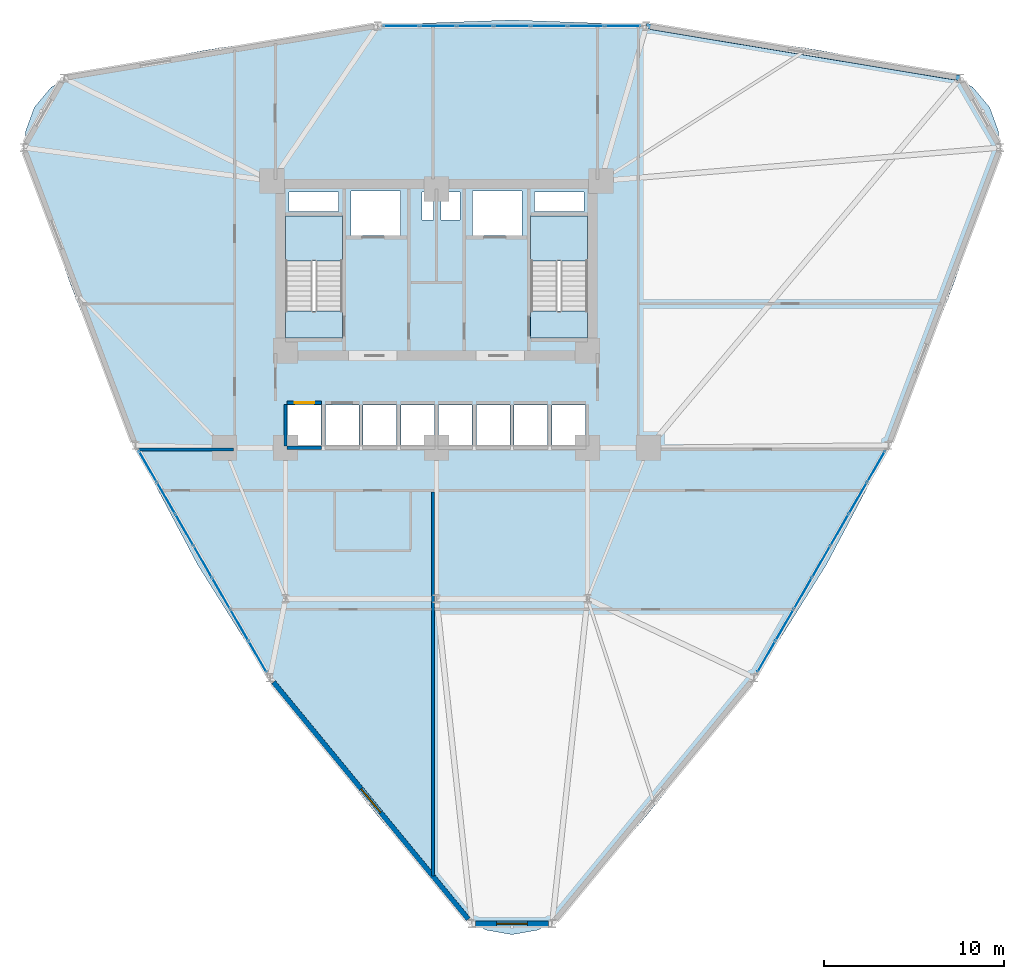
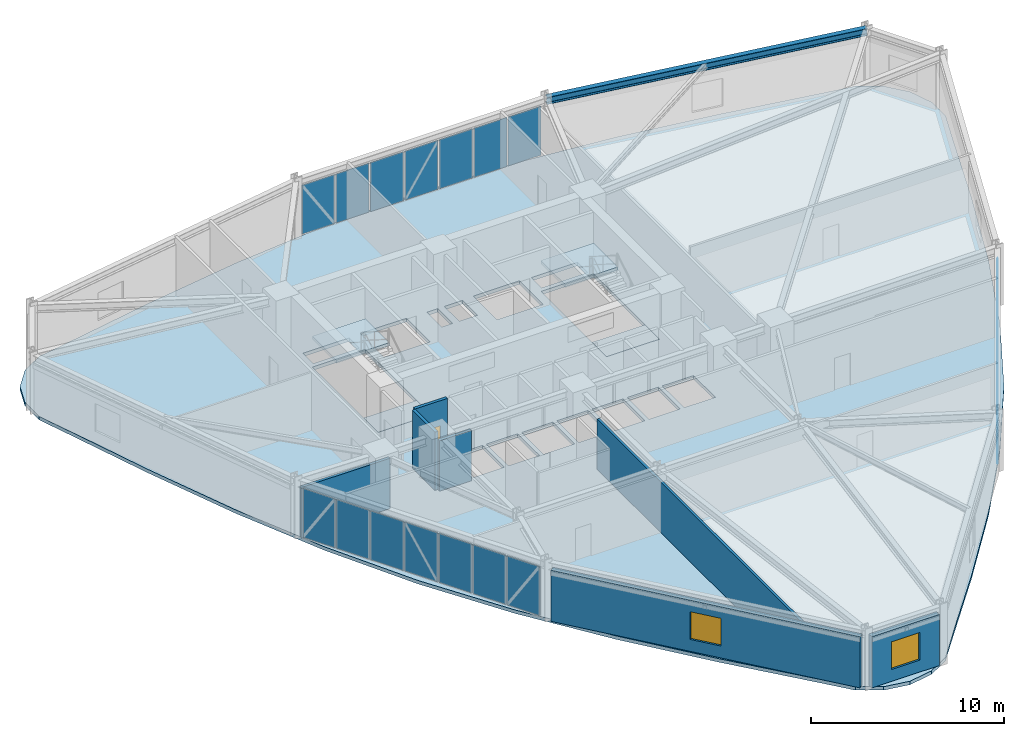
# One storey, part 13 of 20: 21 plates, 7 walls, 5 slabs, 2 windows, 1 beam, 1 door, 3 openings, 5 elements without a shape of their own.
"""IFC4 building model written with IfcOpenShell, lengths in metres."""

from ifc_helpers import new_model, si_unit, derived_unit, direction, frame, frame_2d, origin, origin_2d, place, context, subcontext, project, spatial, polyline, rectangle, i_section, outline, extrude, source, transform, mapped, material, layer, layer_set, material_profile, profile_set, type_object, element, fill, aggregate, save


model = new_model("IFC4")

# Units and contexts
model_context = context("Model", 3, precision=1e-05, world=origin(), true_north=direction((0.0, 1.0)))
body_context = subcontext(model_context, "Body", "Model", "MODEL_VIEW")
ifc_project = project(units=[si_unit("LENGTHUNIT", "METRE"), si_unit("AREAUNIT", "SQUARE_METRE"), si_unit("VOLUMEUNIT", "CUBIC_METRE"), si_unit("PLANEANGLEUNIT", "RADIAN"), si_unit("MASSUNIT", "GRAM", prefix="KILO"), derived_unit("THERMALTRANSMITTANCEUNIT", [(si_unit("POWERUNIT", "WATT"), 1), (si_unit("LENGTHUNIT", "METRE"), -2), (si_unit("THERMODYNAMICTEMPERATUREUNIT", "KELVIN"), -1)])], contexts=[model_context])

# Site, building, storey
site_placement = place(None, origin())
site = spatial("IfcSite", under=ifc_project, at=site_placement, CompositionType="ELEMENT")
building_placement = place(site_placement, origin())
building = spatial("IfcBuilding", under=site, at=building_placement, Name="Korsvarv Bourse and Concert Hall", CompositionType="ELEMENT")
storey_placement = place(building_placement, frame((0.0, 0.0, 75.60009765625)))
storey = spatial("IfcBuildingStorey", under=building, at=storey_placement, Name="L18", CompositionType="ELEMENT", Elevation=75.60009765625)

# Beam
ifc_material_1 = material(Name="Steel S355", Category="steel")
ifc_material_profile = material_profile(ifc_material_1, i_section(OverallWidth=0.300048828125, OverallDepth=0.449951171875, WebThickness=0.013916015625, FlangeThickness=0.02587890625, FilletRadius=0.02099609375, at=origin_2d()), Name="HEB 450")
ifc_profile_set = profile_set([ifc_material_profile], Name="Steel S355")
beam_type = type_object("IfcBeamType", Name="BM-HEB450", PredefinedType="SPANDREL", material=ifc_profile_set)
shared_shape_1 = source(origin(), body_context, "Body", "SweptSolid", [
    extrude(i_section(OverallWidth=0.300048828125, OverallDepth=0.449951171875, WebThickness=0.013916015625, FlangeThickness=0.02587890625, FilletRadius=0.02099609375, at=origin_2d()), origin(), (0.0, 0.0, 1.0), 17.69775390625),
])
beam_placement = place(storey_placement, frame((65.1279296875, 52.971923828125, 3.454833984375), z_axis=(-0.986522993276, 0.163622687109, 0.0), x_axis=(-0.163622687109, -0.986522993276, 0.0)))
element("IfcBeam", 1, at=beam_placement, inside=storey, type_object=beam_type, Name="L18 beam B-08", PredefinedType="SPANDREL", context=body_context, shape_type="MappedRepresentation", body=[
    mapped(shared_shape_1, transform((0.0, 0.0, 0.0), scale=1.0)),
])

# Slabs
ifc_material_2 = material(Name="Precast concrete C45/55", Category="concrete")
ifc_layer_1 = layer(ifc_material_2, 0.199951171875)
ifc_layer_set_1 = layer_set([ifc_layer_1], Name="Precast concrete C45/55")
slab_type_1 = type_object("IfcSlabType", Name="SLB-FLND-T", PredefinedType="LANDING", material=ifc_layer_set_1)
slab_1_placement = place(storey_placement, frame((0.0, 0.0, -0.2001953125)))
element("IfcSlab", 2, at=slab_1_placement, inside=storey, type_object=slab_type_1, Name="L18 Stair ST-T1 Floor Landing Slab", PredefinedType="LANDING", context=body_context, shape_type="SweptSolid", body=[
    extrude(outline(polyline([(30.760009765625, 38.5), (30.760009765625, 40.0), (27.60009765625, 40.0), (27.60009765625, 38.5), (30.760009765625, 38.5)])), origin(), (0.0, 0.0, 1.0), 0.2001953125),
])
slab_2_placement = place(storey_placement, frame((0.0, 0.0, -0.2001953125)))
element("IfcSlab", 3, at=slab_2_placement, inside=storey, type_object=slab_type_1, Name="L18 Stair ST-T2 Floor Landing Slab", PredefinedType="LANDING", context=body_context, shape_type="SweptSolid", body=[
    extrude(outline(polyline([(44.39990234375, 38.5), (44.39990234375, 40.0), (41.239990234375, 40.0), (41.239990234375, 38.5), (44.39990234375, 38.5)])), origin(), (0.0, 0.0, 1.0), 0.2001953125),
])

# Stair, slab
stair_type = type_object("IfcStairType", Name="STR-TYPE-03", PredefinedType="HALF_TURN_STAIR", material=ifc_material_2)
stair_1_placement = place(storey_placement, origin())
stair_1 = element("IfcStair", 4, at=stair_1_placement, inside=storey, type_object=stair_type, Name="L18 Tower West Exit Stair ST-T1", PredefinedType="HALF_TURN_STAIR")
ifc_layer_2 = layer(ifc_material_2, 0.199951171875)
ifc_layer_set_2 = layer_set([ifc_layer_2], Name="Precast concrete C45/55")
slab_type_2 = type_object("IfcSlabType", Name="SLB-ST-LND", PredefinedType="LANDING", material=ifc_layer_set_2)
slab_3_placement = place(storey_placement, frame((0.0, 0.0, 1.75)))
slab_3 = element("IfcSlab", 5, at=slab_3_placement, type_object=slab_type_2, Name="ST-T1 landing 1", PredefinedType="LANDING", context=body_context, shape_type="SweptSolid", body=[
    extrude(outline(polyline([(30.760009765625, 42.800048828125), (30.760009765625, 45.300048828125), (27.60009765625, 45.300048828125), (27.60009765625, 42.800048828125), (30.760009765625, 42.800048828125)])), origin(), (0.0, 0.0, 1.0), 0.199951171875),
])
aggregate(stair_1, [slab_3])

stair_2_placement = place(storey_placement, origin())
stair_2 = element("IfcStair", 6, at=stair_2_placement, inside=storey, type_object=stair_type, Name="L18 Tower East Exit Stair ST-T2", PredefinedType="HALF_TURN_STAIR")
slab_4_placement = place(storey_placement, frame((0.0, 0.0, 1.75)))
slab_4 = element("IfcSlab", 7, at=slab_4_placement, type_object=slab_type_2, Name="ST-T2 landing 1", PredefinedType="LANDING", context=body_context, shape_type="SweptSolid", body=[
    extrude(outline(polyline([(44.39990234375, 42.800048828125), (44.39990234375, 45.300048828125), (41.239990234375, 45.300048828125), (41.239990234375, 42.800048828125), (44.39990234375, 42.800048828125)])), origin(), (0.0, 0.0, 1.0), 0.199951171875),
])
aggregate(stair_2, [slab_4])

# Slab
ifc_material_3 = material(Name="Concrete C45/55", Category="concrete")
ifc_layer_3 = layer(ifc_material_3, 0.219970703125)
ifc_layer_set_3 = layer_set([ifc_layer_3], Name="Concrete C45/55")
slab_type_3 = type_object("IfcSlabType", Name="SLB-TW1", PredefinedType="FLOOR", material=ifc_layer_set_3)
slab_5_placement = place(storey_placement, frame((0.0, 0.0, -0.22021484375)))
element("IfcSlab", 8, at=slab_5_placement, inside=storey, type_object=slab_type_3, Name="L18 tower structural floor slab", PredefinedType="FLOOR", context=body_context, shape_type="SweptSolid", body=[
    extrude(outline(polyline([(66.72119140625, 46.99462890625), (64.767822265625, 41.513427734375), (62.68408203125, 36.133056640625), (60.353271484375, 30.916015625), (57.695556640625, 25.89892578125), (54.679443359375, 21.0888671875), (51.326904296875, 16.461669921875), (47.708984375, 11.966796875), (43.939208984375, 7.53466796875), (43.935302734375, 7.530029296875), (42.8984375, 6.29443359375), (41.6357421875, 5.5654296875), (40.199951171875, 5.312255859375), (38.76416015625, 5.5654296875), (37.501708984375, 6.29443359375), (36.464599609375, 7.530029296875), (36.4609375, 7.53466796875), (32.69091796875, 11.966796875), (29.0732421875, 16.461669921875), (25.720458984375, 21.0888671875), (22.70458984375, 25.89892578125), (20.046875, 30.916015625), (17.7158203125, 36.133056640625), (15.632080078125, 41.513427734375), (13.6787109375, 46.99462890625), (13.6767578125, 47.000244140625), (13.125, 48.51611328125), (13.125, 49.973876953125), (13.623779296875, 51.34375), (14.560791015625, 52.460693359375), (15.823486328125, 53.189697265625), (17.412109375, 53.4697265625), (17.417724609375, 53.470703125), (23.141357421875, 54.51953125), (28.842529296875, 55.4052734375), (34.5263671875, 55.995361328125), (40.199951171875, 56.201904296875), (45.873779296875, 55.995361328125), (51.557373046875, 55.4052734375), (57.2587890625, 54.51953125), (62.982177734375, 53.470703125), (62.988037109375, 53.4697265625), (64.57666015625, 53.189697265625), (65.839111328125, 52.460693359375), (66.7763671875, 51.34375), (67.27490234375, 49.973876953125), (67.27490234375, 48.51611328125), (66.723388671875, 47.000244140625), (66.72119140625, 46.99462890625)]), holes=[polyline([(30.760009765625, 38.5), (30.760009765625, 45.300048828125), (27.60009765625, 45.300048828125), (27.60009765625, 38.5), (30.760009765625, 38.5)]), polyline([(44.39990234375, 38.5), (44.39990234375, 45.300048828125), (41.239990234375, 45.300048828125), (41.239990234375, 38.5), (44.39990234375, 38.5)]), polyline([(31.239990234375, 44.219970703125), (34.0, 44.219970703125), (34.0, 46.679931640625), (31.239990234375, 46.679931640625), (31.239990234375, 44.219970703125)]), polyline([(38.0, 44.219970703125), (40.760009765625, 44.219970703125), (40.760009765625, 46.679931640625), (38.0, 46.679931640625), (38.0, 44.219970703125)]), polyline([(27.719970703125, 32.52001953125), (29.580078125, 32.52001953125), (29.580078125, 34.780029296875), (27.719970703125, 34.780029296875), (27.719970703125, 32.52001953125)]), polyline([(29.820068359375, 32.52001953125), (31.679931640625, 32.52001953125), (31.679931640625, 34.780029296875), (29.820068359375, 34.780029296875), (29.820068359375, 32.52001953125)]), polyline([(31.919921875, 32.52001953125), (33.780029296875, 32.52001953125), (33.780029296875, 34.780029296875), (31.919921875, 34.780029296875), (31.919921875, 32.52001953125)]), polyline([(34.02001953125, 32.52001953125), (35.8798828125, 32.52001953125), (35.8798828125, 34.780029296875), (34.02001953125, 34.780029296875), (34.02001953125, 32.52001953125)]), polyline([(36.1201171875, 32.52001953125), (37.97998046875, 32.52001953125), (37.97998046875, 34.780029296875), (36.1201171875, 34.780029296875), (36.1201171875, 32.52001953125)]), polyline([(38.219970703125, 32.52001953125), (40.080078125, 32.52001953125), (40.080078125, 34.780029296875), (38.219970703125, 34.780029296875), (38.219970703125, 32.52001953125)]), polyline([(40.320068359375, 32.52001953125), (42.179931640625, 32.52001953125), (42.179931640625, 34.780029296875), (40.320068359375, 34.780029296875), (40.320068359375, 32.52001953125)]), polyline([(42.419921875, 32.52001953125), (44.280029296875, 32.52001953125), (44.280029296875, 34.780029296875), (42.419921875, 34.780029296875), (42.419921875, 32.52001953125)]), polyline([(27.800048828125, 45.56005859375), (30.56005859375, 45.56005859375), (30.56005859375, 46.6201171875), (27.800048828125, 46.6201171875), (27.800048828125, 45.56005859375)]), polyline([(41.43994140625, 45.56005859375), (44.199951171875, 45.56005859375), (44.199951171875, 46.6201171875), (41.43994140625, 46.6201171875), (41.43994140625, 45.56005859375)]), polyline([(35.199951171875, 45.080078125), (35.840087890625, 45.080078125), (35.840087890625, 46.6201171875), (35.199951171875, 46.6201171875), (35.199951171875, 45.080078125)]), polyline([(36.239990234375, 45.080078125), (37.320068359375, 45.080078125), (37.320068359375, 46.6201171875), (36.239990234375, 46.6201171875), (36.239990234375, 45.080078125)])]), origin(), (0.0, 0.0, 1.0), 0.22021484375),
])

# Curtain wall, plates
ifc_material_4 = material(Name="Anodised aluminium and triple low-E glazing", Category="glass")
ifc_layer_4 = layer(ifc_material_4, 0.219970703125)
ifc_layer_set_4 = layer_set([ifc_layer_4], Name="Anodised aluminium and triple low-E glazing")
curtain_wall_type = type_object("IfcCurtainWallType", Name="CW-SYS-1", PredefinedType="NOTDEFINED", material=ifc_layer_set_4)
curtain_wall_1_placement = place(storey_placement, origin())
curtain_wall_1 = element("IfcCurtainWall", 9, at=curtain_wall_1_placement, inside=storey, type_object=curtain_wall_type, Name="L18 CW1 curtain wall CW-L18-F03", PredefinedType="NOTDEFINED")
ifc_material_5 = material(Name="Insulated spandrel glass", Category="glass")
ifc_layer_5 = layer(ifc_material_5, 0.031982421875)
ifc_layer_set_5 = layer_set([ifc_layer_5], Name="Insulated spandrel glass")
plate_type_1 = type_object("IfcPlateType", Name="CWP-SPD1", PredefinedType="CURTAIN_PANEL", material=ifc_layer_set_5)
shared_shape_2 = source(origin(), body_context, "Body", "SweptSolid", [
    extrude(rectangle(XDim=1.9541015625, YDim=0.031982421875, at=origin_2d()), origin(), (0.0, 0.0, 1.0), 3.10009765625),
])
plate_1_placement = place(storey_placement, frame((46.359619140625, 55.86767578125, 0.06494140625), z_axis=(0.0, 0.0, 1.0), x_axis=(-1.0, 0.0, 0.0)))
plate_1 = element("IfcPlate", 10, at=plate_1_placement, type_object=plate_type_1, Name="CW1 spandrel shadow-box panel 1.1", PredefinedType="CURTAIN_PANEL", context=body_context, shape_type="MappedRepresentation", body=[
    mapped(shared_shape_2, transform((0.0, 0.0, 0.0), scale=1.0)),
])
plate_2_placement = place(storey_placement, frame((34.040283203125, 55.86767578125, 0.06494140625), z_axis=(0.0, 0.0, 1.0), x_axis=(-1.0, 0.0, 0.0)))
plate_2 = element("IfcPlate", 11, at=plate_2_placement, type_object=plate_type_1, Name="CW1 spandrel shadow-box panel 7.1", PredefinedType="CURTAIN_PANEL", context=body_context, shape_type="MappedRepresentation", body=[
    mapped(shared_shape_2, transform((0.0, 0.0, 0.0), scale=1.0)),
])
ifc_material_6 = material(Name="Tempered triple insulated low-E architectural glass", Category="glass")
ifc_layer_6 = layer(ifc_material_6, 0.035888671875)
ifc_layer_set_6 = layer_set([ifc_layer_6], Name="Tempered triple insulated low-E architectural glass")
plate_type_2 = type_object("IfcPlateType", Name="CWP-VIS1", PredefinedType="CURTAIN_PANEL", material=ifc_layer_set_6)
shared_shape_3 = source(origin(), body_context, "Body", "SweptSolid", [
    extrude(rectangle(XDim=1.989013671875, YDim=0.035888671875, at=origin_2d()), origin(), (0.0, 0.0, 1.0), 3.10009765625),
])
plate_3_placement = place(storey_placement, frame((44.318115234375, 55.86767578125, 0.06494140625), z_axis=(0.0, 0.0, 1.0), x_axis=(-1.0, 0.0, 0.0)))
plate_3 = element("IfcPlate", 12, at=plate_3_placement, type_object=plate_type_2, Name="CW1 faceted panel 2.1", PredefinedType="CURTAIN_PANEL", context=body_context, shape_type="MappedRepresentation", body=[
    mapped(shared_shape_3, transform((0.0, 0.0, 0.0), scale=1.0)),
])
plate_4_placement = place(storey_placement, frame((42.259033203125, 55.86767578125, 0.06494140625), z_axis=(0.0, 0.0, 1.0), x_axis=(-1.0, 0.0, 0.0)))
plate_4 = element("IfcPlate", 13, at=plate_4_placement, type_object=plate_type_2, Name="CW1 faceted panel 3.1", PredefinedType="CURTAIN_PANEL", context=body_context, shape_type="MappedRepresentation", body=[
    mapped(shared_shape_3, transform((0.0, 0.0, 0.0), scale=1.0)),
])
plate_5_placement = place(storey_placement, frame((38.140869140625, 55.86767578125, 0.06494140625), z_axis=(0.0, 0.0, 1.0), x_axis=(-1.0, 0.0, 0.0)))
plate_5 = element("IfcPlate", 14, at=plate_5_placement, type_object=plate_type_2, Name="CW1 faceted panel 5.1", PredefinedType="CURTAIN_PANEL", context=body_context, shape_type="MappedRepresentation", body=[
    mapped(shared_shape_3, transform((0.0, 0.0, 0.0), scale=1.0)),
])
plate_6_placement = place(storey_placement, frame((36.081787109375, 55.86767578125, 0.06494140625), z_axis=(0.0, 0.0, 1.0), x_axis=(-1.0, 0.0, 0.0)))
plate_6 = element("IfcPlate", 15, at=plate_6_placement, type_object=plate_type_2, Name="CW1 faceted panel 6.1", PredefinedType="CURTAIN_PANEL", context=body_context, shape_type="MappedRepresentation", body=[
    mapped(shared_shape_3, transform((0.0, 0.0, 0.0), scale=1.0)),
])
shared_shape_4 = source(origin(), body_context, "Body", "SweptSolid", [
    extrude(rectangle(XDim=1.989013671875, YDim=0.031982421875, at=origin_2d()), origin(), (0.0, 0.0, 1.0), 3.10009765625),
])
plate_7_placement = place(storey_placement, frame((40.199951171875, 55.86767578125, 0.06494140625), z_axis=(0.0, 0.0, 1.0), x_axis=(-1.0, 0.0, 0.0)))
plate_7 = element("IfcPlate", 16, at=plate_7_placement, type_object=plate_type_1, Name="CW1 spandrel shadow-box panel 4.1", PredefinedType="CURTAIN_PANEL", context=body_context, shape_type="MappedRepresentation", body=[
    mapped(shared_shape_4, transform((0.0, 0.0, 0.0), scale=1.0)),
])
aggregate(curtain_wall_1, [plate_1, plate_3, plate_4, plate_7, plate_5, plate_6, plate_2])

curtain_wall_2_placement = place(storey_placement, origin())
curtain_wall_2 = element("IfcCurtainWall", 17, at=curtain_wall_2_placement, inside=storey, type_object=curtain_wall_type, Name="L18 CW1 curtain wall CW-L18-F07", PredefinedType="NOTDEFINED")
shared_shape_5 = source(origin(), body_context, "Body", "SweptSolid", [
    extrude(rectangle(XDim=1.934326171875, YDim=0.031982421875, at=origin_2d()), origin(), (0.0, 0.0, 1.0), 3.10009765625),
])
plate_8_placement = place(storey_placement, frame((19.94384765625, 31.34912109375, 0.06494140625), z_axis=(0.0, 0.0, 1.0), x_axis=(0.500002009023, -0.866024243871, 0.0)))
plate_8 = element("IfcPlate", 18, at=plate_8_placement, type_object=plate_type_1, Name="CW1 spandrel shadow-box panel 1.1", PredefinedType="CURTAIN_PANEL", context=body_context, shape_type="MappedRepresentation", body=[
    mapped(shared_shape_5, transform((0.0, 0.0, 0.0), scale=1.0)),
])
plate_9_placement = place(storey_placement, frame((26.044189453125, 20.783203125, 0.06494140625), z_axis=(0.0, 0.0, 1.0), x_axis=(0.500002009023, -0.866024243871, 0.0)))
plate_9 = element("IfcPlate", 19, at=plate_9_placement, type_object=plate_type_1, Name="CW1 spandrel shadow-box panel 7.1", PredefinedType="CURTAIN_PANEL", context=body_context, shape_type="MappedRepresentation", body=[
    mapped(shared_shape_5, transform((0.0, 0.0, 0.0), scale=1.0)),
])

curtain_wall_3_placement = place(storey_placement, origin())
curtain_wall_3 = element("IfcCurtainWall", 20, at=curtain_wall_3_placement, inside=storey, type_object=curtain_wall_type, Name="L18 CW1 curtain wall CW-L18-F11", PredefinedType="NOTDEFINED")
plate_10_placement = place(storey_placement, frame((54.35595703125, 20.783203125, 0.06494140625), z_axis=(0.0, 0.0, 1.0), x_axis=(0.500002009023, 0.866024243871, 0.0)))
plate_10 = element("IfcPlate", 21, at=plate_10_placement, type_object=plate_type_1, Name="CW1 spandrel shadow-box panel 1.1", PredefinedType="CURTAIN_PANEL", context=body_context, shape_type="MappedRepresentation", body=[
    mapped(shared_shape_5, transform((0.0, 0.0, 0.0), scale=1.0)),
])
plate_11_placement = place(storey_placement, frame((60.4560546875, 31.34912109375, 0.06494140625), z_axis=(0.0, 0.0, 1.0), x_axis=(0.500002009023, 0.866024243871, 0.0)))
plate_11 = element("IfcPlate", 22, at=plate_11_placement, type_object=plate_type_1, Name="CW1 spandrel shadow-box panel 7.1", PredefinedType="CURTAIN_PANEL", context=body_context, shape_type="MappedRepresentation", body=[
    mapped(shared_shape_5, transform((0.0, 0.0, 0.0), scale=1.0)),
])

# Plate
shared_shape_6 = source(origin(), body_context, "Body", "SweptSolid", [
    extrude(rectangle(XDim=1.96923828125, YDim=0.035888671875, at=origin_2d()), origin(), (0.0, 0.0, 1.0), 3.10009765625),
])
plate_12_placement = place(storey_placement, frame((20.954833984375, 29.59814453125, 0.06494140625), z_axis=(0.0, 0.0, 1.0), x_axis=(0.500002009023, -0.866024243871, 0.0)))
plate_12 = element("IfcPlate", 23, at=plate_12_placement, type_object=plate_type_2, Name="CW1 faceted panel 2.1", PredefinedType="CURTAIN_PANEL", context=body_context, shape_type="MappedRepresentation", body=[
    mapped(shared_shape_6, transform((0.0, 0.0, 0.0), scale=1.0)),
])

plate_13_placement = place(storey_placement, frame((21.974365234375, 27.832275390625, 0.06494140625), z_axis=(0.0, 0.0, 1.0), x_axis=(0.500002009023, -0.866024243871, 0.0)))
plate_13 = element("IfcPlate", 24, at=plate_13_placement, type_object=plate_type_2, Name="CW1 faceted panel 3.1", PredefinedType="CURTAIN_PANEL", context=body_context, shape_type="MappedRepresentation", body=[
    mapped(shared_shape_6, transform((0.0, 0.0, 0.0), scale=1.0)),
])

plate_14_placement = place(storey_placement, frame((24.013671875, 24.300048828125, 0.06494140625), z_axis=(0.0, 0.0, 1.0), x_axis=(0.500002009023, -0.866024243871, 0.0)))
plate_14 = element("IfcPlate", 25, at=plate_14_placement, type_object=plate_type_2, Name="CW1 faceted panel 5.1", PredefinedType="CURTAIN_PANEL", context=body_context, shape_type="MappedRepresentation", body=[
    mapped(shared_shape_6, transform((0.0, 0.0, 0.0), scale=1.0)),
])

plate_15_placement = place(storey_placement, frame((25.033203125, 22.5341796875, 0.06494140625), z_axis=(0.0, 0.0, 1.0), x_axis=(0.500002009023, -0.866024243871, 0.0)))
plate_15 = element("IfcPlate", 26, at=plate_15_placement, type_object=plate_type_2, Name="CW1 faceted panel 6.1", PredefinedType="CURTAIN_PANEL", context=body_context, shape_type="MappedRepresentation", body=[
    mapped(shared_shape_6, transform((0.0, 0.0, 0.0), scale=1.0)),
])

plate_16_placement = place(storey_placement, frame((55.36669921875, 22.5341796875, 0.06494140625), z_axis=(0.0, 0.0, 1.0), x_axis=(0.500002009023, 0.866024243871, 0.0)))
plate_16 = element("IfcPlate", 27, at=plate_16_placement, type_object=plate_type_2, Name="CW1 faceted panel 2.1", PredefinedType="CURTAIN_PANEL", context=body_context, shape_type="MappedRepresentation", body=[
    mapped(shared_shape_6, transform((0.0, 0.0, 0.0), scale=1.0)),
])

plate_17_placement = place(storey_placement, frame((56.38623046875, 24.300048828125, 0.06494140625), z_axis=(0.0, 0.0, 1.0), x_axis=(0.500002009023, 0.866024243871, 0.0)))
plate_17 = element("IfcPlate", 28, at=plate_17_placement, type_object=plate_type_2, Name="CW1 faceted panel 3.1", PredefinedType="CURTAIN_PANEL", context=body_context, shape_type="MappedRepresentation", body=[
    mapped(shared_shape_6, transform((0.0, 0.0, 0.0), scale=1.0)),
])

plate_18_placement = place(storey_placement, frame((58.425537109375, 27.832275390625, 0.06494140625), z_axis=(0.0, 0.0, 1.0), x_axis=(0.500002009023, 0.866024243871, 0.0)))
plate_18 = element("IfcPlate", 29, at=plate_18_placement, type_object=plate_type_2, Name="CW1 faceted panel 5.1", PredefinedType="CURTAIN_PANEL", context=body_context, shape_type="MappedRepresentation", body=[
    mapped(shared_shape_6, transform((0.0, 0.0, 0.0), scale=1.0)),
])

plate_19_placement = place(storey_placement, frame((59.445068359375, 29.59814453125, 0.06494140625), z_axis=(0.0, 0.0, 1.0), x_axis=(0.500002009023, 0.866024243871, 0.0)))
plate_19 = element("IfcPlate", 30, at=plate_19_placement, type_object=plate_type_2, Name="CW1 faceted panel 6.1", PredefinedType="CURTAIN_PANEL", context=body_context, shape_type="MappedRepresentation", body=[
    mapped(shared_shape_6, transform((0.0, 0.0, 0.0), scale=1.0)),
])

shared_shape_7 = source(origin(), body_context, "Body", "SweptSolid", [
    extrude(rectangle(XDim=1.96923828125, YDim=0.031982421875, at=origin_2d()), origin(), (0.0, 0.0, 1.0), 3.10009765625),
])
plate_20_placement = place(storey_placement, frame((22.994140625, 26.066162109375, 0.06494140625), z_axis=(0.0, 0.0, 1.0), x_axis=(0.500002009023, -0.866024243871, 0.0)))
plate_20 = element("IfcPlate", 31, at=plate_20_placement, type_object=plate_type_1, Name="CW1 spandrel shadow-box panel 4.1", PredefinedType="CURTAIN_PANEL", context=body_context, shape_type="MappedRepresentation", body=[
    mapped(shared_shape_7, transform((0.0, 0.0, 0.0), scale=1.0)),
])

aggregate(curtain_wall_2, [plate_8, plate_12, plate_13, plate_20, plate_14, plate_15, plate_9])

plate_21_placement = place(storey_placement, frame((57.406005859375, 26.066162109375, 0.06494140625), z_axis=(0.0, 0.0, 1.0), x_axis=(0.500002009023, 0.866024243871, 0.0)))
plate_21 = element("IfcPlate", 32, at=plate_21_placement, type_object=plate_type_1, Name="CW1 spandrel shadow-box panel 4.1", PredefinedType="CURTAIN_PANEL", context=body_context, shape_type="MappedRepresentation", body=[
    mapped(shared_shape_7, transform((0.0, 0.0, 0.0), scale=1.0)),
])

aggregate(curtain_wall_3, [plate_10, plate_16, plate_17, plate_21, plate_18, plate_19, plate_11])

# Wall, opening, window
ifc_material_7 = material(Name="Precast concrete C45/55 with terracotta rainscreen", Category="concrete")
ifc_layer_7 = layer(ifc_material_7, 0.300048828125)
ifc_layer_set_7 = layer_set([ifc_layer_7], Name="Precast concrete C45/55 with terracotta rainscreen")
wall_type_1 = type_object("IfcWallType", Name="WL-EXT-TC1", PredefinedType="SOLIDWALL", material=ifc_layer_set_7)
wall_1_placement = place(storey_placement, frame((38.182861328125, 5.92578125, 0.0), z_axis=(0.0, 0.0, 1.0), x_axis=(1.0, 0.0, 0.0)))
wall_1 = element("IfcWall", 33, at=wall_1_placement, inside=storey, type_object=wall_type_1, Name="L18 terracotta exterior wall EW-L18-B09", PredefinedType="SOLIDWALL", context=body_context, shape_type="SweptSolid", body=[
    extrude(rectangle(XDim=4.034423828125, YDim=0.300048828125, at=frame_2d((2.01708984375, 0.0))), origin(), (0.0, 0.0, 1.0), 3.22998046875),
])
opening_1_placement = place(wall_1_placement, frame((1.167236328125, 0.0, 0.75)))
opening_1 = element("IfcOpeningElement", 34, at=opening_1_placement, cuts=wall_1, Name="Opening W-01", PredefinedType="OPENING", context=body_context, shape_type="SweptSolid", body=[
    extrude(rectangle(XDim=1.699951171875, YDim=1.75, at=frame_2d((0.85009765625, 0.875))), frame((0.0, 0.16015625, 0.0), z_axis=(0.0, -1.0, 0.0), x_axis=(1.0, 0.0, 0.0)), (0.0, 0.0, 1.0), 0.320068359375),
])
ifc_material_8 = material(Name="Thermally broken aluminium frame with triple low-E glass", Category="glass")
window_type = type_object("IfcWindowType", Name="WIN-TW1", PartitioningType="SINGLE_PANEL", PredefinedType="WINDOW", material=ifc_material_8)
window_1_placement = place(opening_1_placement, origin())
window_1 = element("IfcWindow", 35, at=window_1_placement, inside=storey, type_object=window_type, Name="L18 punched facade window W-01", OverallHeight=1.75, OverallWidth=1.699951171875, PartitioningType="SINGLE_PANEL", PredefinedType="WINDOW", context=body_context, shape_type="SweptSolid", body=[
    extrude(rectangle(XDim=1.699951171875, YDim=1.75, at=frame_2d((0.85009765625, 0.875))), frame((0.0, 0.030029296875, 0.0), z_axis=(0.0, -1.0, 0.0), x_axis=(1.0, 0.0, 0.0)), (0.0, 0.0, 1.0), 0.06005859375),
])
fill(opening_1, window_1)

ifc_material_9 = material(Name="Precast concrete C45/55 with fluted terracotta pier", Category="concrete")
ifc_layer_8 = layer(ifc_material_9, 0.280029296875)
ifc_layer_set_8 = layer_set([ifc_layer_8], Name="Precast concrete C45/55 with fluted terracotta pier")
wall_type_2 = type_object("IfcWallType", Name="WL-EXT-TC2", PredefinedType="SOLIDWALL", material=ifc_layer_set_8)
wall_2_placement = place(storey_placement, frame((26.92724609375, 19.356201171875, 0.0), z_axis=(0.0, 0.0, 1.0), x_axis=(0.634956540438, -0.772547857259, 0.0)))
wall_2 = element("IfcWall", 36, at=wall_2_placement, inside=storey, type_object=wall_type_2, Name="L18 terracotta exterior wall EW-L18-B08", PredefinedType="SOLIDWALL", context=body_context, shape_type="SweptSolid", body=[
    extrude(rectangle(XDim=17.0712890625, YDim=0.280029296875, at=frame_2d((8.53564453125, 0.0))), origin(), (0.0, 0.0, 1.0), 3.22998046875),
])
opening_2_placement = place(wall_2_placement, frame((7.685546875, 0.0, 0.75)))
opening_2 = element("IfcOpeningElement", 37, at=opening_2_placement, cuts=wall_2, Name="Opening W-01", PredefinedType="OPENING", context=body_context, shape_type="SweptSolid", body=[
    extrude(rectangle(XDim=1.699951171875, YDim=1.75, at=frame_2d((0.85009765625, 0.875))), frame((0.0, 0.14990234375, 0.0), z_axis=(0.0, -1.0, 0.0), x_axis=(1.0, 0.0, 0.0)), (0.0, 0.0, 1.0), 0.300048828125),
])
window_2_placement = place(opening_2_placement, origin())
window_2 = element("IfcWindow", 38, at=window_2_placement, inside=storey, type_object=window_type, Name="L18 punched facade window W-01", OverallHeight=1.75, OverallWidth=1.699951171875, PartitioningType="SINGLE_PANEL", PredefinedType="WINDOW", context=body_context, shape_type="SweptSolid", body=[
    extrude(rectangle(XDim=1.699951171875, YDim=1.75, at=frame_2d((0.85009765625, 0.875))), frame((0.0, 0.030029296875, 0.0), z_axis=(0.0, -1.0, 0.0), x_axis=(1.0, 0.0, 0.0)), (0.0, 0.0, 1.0), 0.06005859375),
])
fill(opening_2, window_2)

# Wall
ifc_material_10 = material(Name="Double-stud fire-rated acoustic partition", Category="gypsum")
ifc_layer_9 = layer(ifc_material_10, 0.159912109375)
ifc_layer_set_9 = layer_set([ifc_layer_9], Name="Double-stud fire-rated acoustic partition")
wall_type_3 = type_object("IfcWallType", Name="WL-INT-EI60", PredefinedType="PARTITIONING", material=ifc_layer_set_9)
wall_3_placement = place(storey_placement, frame((19.40625, 32.31494140625, 0.0), z_axis=(0.0, 0.0, 1.0), x_axis=(1.0, 0.0, 0.0)))
element("IfcWall", 39, at=wall_3_placement, inside=storey, type_object=wall_type_3, Name="L18 interior partition wall W-L18-TCOR-07", PredefinedType="PARTITIONING", context=body_context, shape_type="SweptSolid", body=[
    extrude(rectangle(XDim=5.286865234375, YDim=0.159912109375, at=frame_2d((2.6435546875, 0.0))), origin(), (0.0, 0.0, 1.0), 3.179931640625),
])

# Wall, opening, door
ifc_material_11 = material(Name="Gypsum-clad autoclaved concrete shaft wall C30/37", Category="concrete")
ifc_layer_10 = layer(ifc_material_11, 0.179931640625)
ifc_layer_set_10 = layer_set([ifc_layer_10], Name="Gypsum-clad autoclaved concrete shaft wall C30/37")
wall_type_4 = type_object("IfcWallType", Name="WL-INT-EI90", PredefinedType="PARTITIONING", material=ifc_layer_set_10)
wall_4_placement = place(storey_placement, frame((27.68994140625, 34.89990234375, 0.0), z_axis=(0.0, 0.0, 1.0), x_axis=(1.0, 0.0, 0.0)))
wall_4 = element("IfcWall", 40, at=wall_4_placement, inside=storey, type_object=wall_type_4, Name="L18 interior partition wall W-L18-SHFN-PL1", PredefinedType="PARTITIONING", context=body_context, shape_type="SweptSolid", body=[
    extrude(rectangle(XDim=1.920166015625, YDim=0.179931640625, at=frame_2d((0.9599609375, 0.0))), origin(), (0.0, 0.0, 1.0), 3.679931640625),
])
opening_3_placement = place(wall_4_placement, frame((0.409912109375, 0.0, 0.0)))
opening_3 = element("IfcOpeningElement", 41, at=opening_3_placement, cuts=wall_4, Name="Opening LD-2", PredefinedType="OPENING", context=body_context, shape_type="SweptSolid", body=[
    extrude(rectangle(XDim=1.10009765625, YDim=2.10009765625, at=frame_2d((0.550048828125, 1.050048828125))), frame((0.0, 0.10009765625, 0.0), z_axis=(0.0, -1.0, 0.0), x_axis=(1.0, 0.0, 0.0)), (0.0, 0.0, 1.0), 0.199951171875),
])
ifc_material_12 = material(Name="Brushed stainless Steel S355 lift landing door", Category="steel")
door_type = type_object("IfcDoorType", Name="DR-LIFT-P", OperationType="DOUBLE_DOOR_SLIDING", PredefinedType="DOOR", material=ifc_material_12)
door_placement = place(opening_3_placement, origin())
door = element("IfcDoor", 42, at=door_placement, inside=storey, type_object=door_type, Name="L18 lift sliding landing door LD-L18-PL1", OperationType="DOUBLE_DOOR_SLIDING", OverallHeight=2.10009765625, OverallWidth=1.10009765625, PredefinedType="DOOR", context=body_context, shape_type="SweptSolid", body=[
    extrude(rectangle(XDim=1.10009765625, YDim=2.10009765625, at=frame_2d((0.550048828125, 1.050048828125))), frame((0.0, 0.02490234375, 0.0), z_axis=(0.0, -1.0, 0.0), x_axis=(1.0, 0.0, 0.0)), (0.0, 0.0, 1.0), 0.050048828125),
])
fill(opening_3, door)

# Walls
wall_5_placement = place(storey_placement, frame((27.68994140625, 32.39990234375, 0.0), z_axis=(0.0, 0.0, 1.0), x_axis=(1.0, 0.0, 0.0)))
element("IfcWall", 43, at=wall_5_placement, inside=storey, type_object=wall_type_4, Name="L18 interior partition wall W-L18-SHFS-PL1", PredefinedType="PARTITIONING", context=body_context, shape_type="SweptSolid", body=[
    extrude(rectangle(XDim=1.920166015625, YDim=0.179931640625, at=frame_2d((0.9599609375, 0.0))), origin(), (0.0, 0.0, 1.0), 3.179931640625),
])
wall_6_placement = place(storey_placement, frame((27.60009765625, 32.489990234375, 0.0), z_axis=(0.0, 0.0, 1.0), x_axis=(0.0, 1.0, 0.0)))
element("IfcWall", 44, at=wall_6_placement, inside=storey, type_object=wall_type_4, Name="L18 interior partition wall W-L18-SHFW-PL1", PredefinedType="PARTITIONING", context=body_context, shape_type="SweptSolid", body=[
    extrude(rectangle(XDim=2.320068359375, YDim=0.179931640625, at=frame_2d((1.16015625, 0.0))), origin(), (0.0, 0.0, 1.0), 3.679931640625),
])
ifc_material_13 = material(Name="Insulated steel-stud office acoustic partition", Category="gypsum")
ifc_layer_11 = layer(ifc_material_13, 0.139892578125)
ifc_layer_set_11 = layer_set([ifc_layer_11], Name="Insulated steel-stud office acoustic partition")
wall_type_5 = type_object("IfcWallType", Name="WL-INT-P1", PredefinedType="PARTITIONING", material=ifc_layer_set_11)
wall_7_placement = place(storey_placement, frame((35.804931640625, 8.57470703125, 0.0), z_axis=(0.0, 0.0, 1.0), x_axis=(0.0, 1.0, 0.0)))
element("IfcWall", 45, at=wall_7_placement, inside=storey, type_object=wall_type_5, Name="L18 interior partition wall W-L18-TCOR-09", PredefinedType="PARTITIONING", context=body_context, shape_type="SweptSolid", body=[
    extrude(rectangle(XDim=21.368408203125, YDim=0.139892578125, at=frame_2d((10.68408203125, 0.0))), origin(), (0.0, 0.0, 1.0), 3.179931640625),
])

save(model, "model.ifc")
